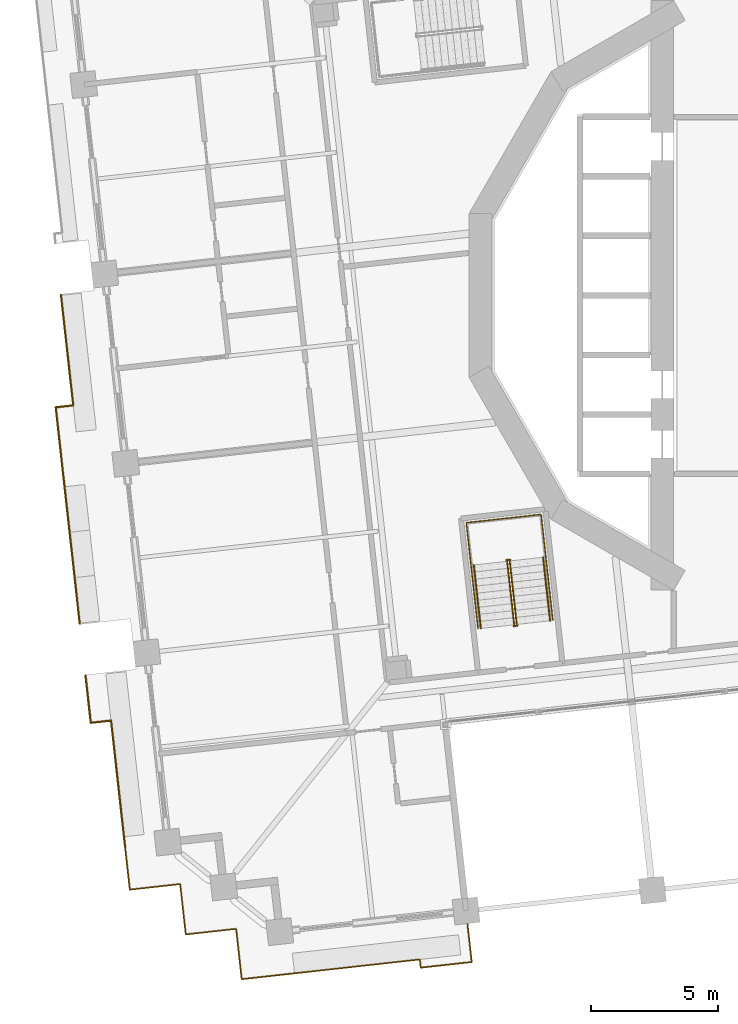
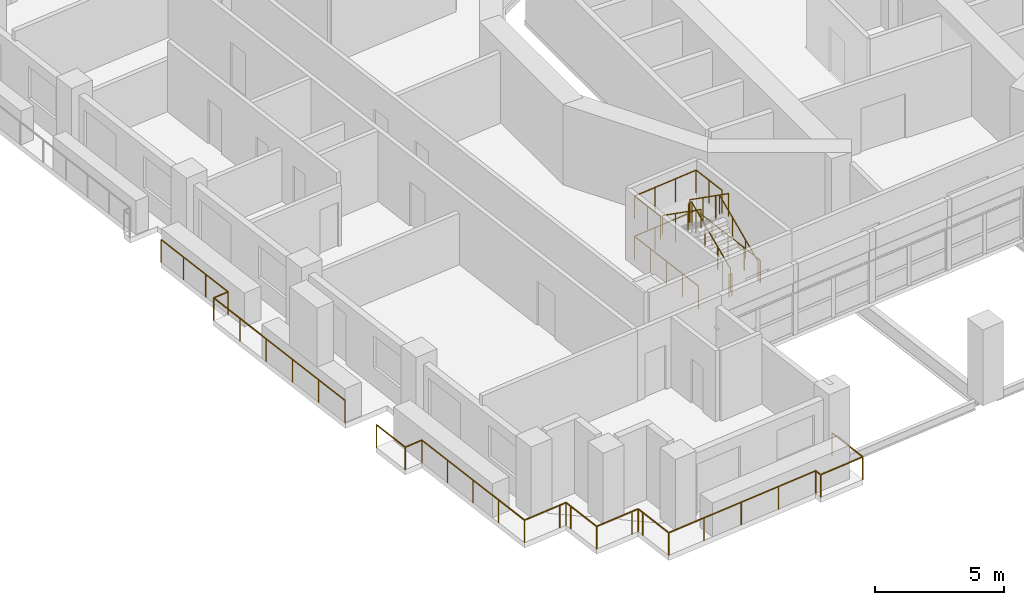
# One storey, part 15 of 21: 10 railings.
"""IFC4 building model written with IfcOpenShell, lengths in metres."""

from ifc_helpers import new_model, si_unit, direction, frame, origin, origin_2d, place, context, subcontext, project, spatial, circle, extrude, material, type_object, element, save


model = new_model("IFC4")

# Units and contexts
model_context = context("Model", 3, precision=1e-05, world=origin(), true_north=direction((0.0, 1.0)))
body_context = subcontext(model_context, "Body", "Model", "MODEL_VIEW")
ifc_project = project(units=[si_unit("LENGTHUNIT", "METRE"), si_unit("AREAUNIT", "SQUARE_METRE"), si_unit("VOLUMEUNIT", "CUBIC_METRE"), si_unit("PLANEANGLEUNIT", "RADIAN"), si_unit("MASSUNIT", "GRAM", prefix="KILO")], contexts=[model_context])

# Site, building, storey
site_placement = place(None, origin())
site = spatial("IfcSite", under=ifc_project, at=site_placement, CompositionType="ELEMENT")
building_placement = place(site_placement, origin())
building = spatial("IfcBuilding", under=site, at=building_placement, Name="Cantera Rosa Tower", CompositionType="ELEMENT")
storey_placement = place(building_placement, frame((0.0, 0.0, 80.5)))
storey = spatial("IfcBuildingStorey", under=building, at=storey_placement, Name="L17", CompositionType="ELEMENT", Elevation=80.5)

# Railings
ifc_material_1 = material(Name="Stainless steel and laminated glass", Category="steel")
railing_type_1 = type_object("IfcRailingType", Name="GUARD 1100", PredefinedType="BALUSTRADE", material=ifc_material_1)
railing_1_placement = place(storey_placement, frame((-25.65576171875, -21.762939453125, 0.0)))
element("IfcRailing", 1, at=railing_1_placement, inside=storey, type_object=railing_type_1, Name="GUARD L17-1", PredefinedType="BALUSTRADE", context=body_context, shape_type="SweptSolid", body=[
    extrude(circle(Radius=0.030029296875, at=origin_2d()), frame((0.0, 0.0, 1.070068359375), z_axis=(-0.110346010062, 0.993893232728, 0.0), x_axis=(-0.993893232728, -0.110346010062, 0.0)), (0.0, 0.0, 1.0), 5.013427734375),
    extrude(circle(Radius=0.030029296875, at=origin_2d()), frame((-0.55322265625, 4.98291015625, 1.070068359375), z_axis=(-0.993876348691, -0.110497979675, 0.0), x_axis=(0.110497979675, -0.993876348691, 0.0)), (0.0, 0.0, 1.0), 0.806396484375),
    extrude(circle(Radius=0.030029296875, at=origin_2d()), frame((-1.354736328125, 4.893798828125, 1.070068359375), z_axis=(-0.110317298966, 0.99389641993, 0.0), x_axis=(-0.99389641993, -0.110317298966, 0.0)), (0.0, 0.0, 1.0), 1.876708984375),
    extrude(circle(Radius=0.02490234375, at=origin_2d()), origin(), (0.0, 0.0, 1.0), 1.0400390625),
    extrude(circle(Radius=0.02490234375, at=origin_2d()), frame((-0.184326171875, 1.660888671875, 0.0)), (0.0, 0.0, 1.0), 1.0400390625),
    extrude(circle(Radius=0.02490234375, at=origin_2d()), frame((-0.368896484375, 3.322021484375, 0.0)), (0.0, 0.0, 1.0), 1.0400390625),
    extrude(circle(Radius=0.02490234375, at=origin_2d()), frame((-0.55322265625, 4.98291015625, 0.0)), (0.0, 0.0, 1.0), 1.0400390625),
    extrude(circle(Radius=0.02490234375, at=origin_2d()), frame((-1.354736328125, 4.893798828125, 0.0)), (0.0, 0.0, 1.0), 1.0400390625),
    extrude(circle(Radius=0.02490234375, at=origin_2d()), frame((-1.561767578125, 6.759033203125, 0.0)), (0.0, 0.0, 1.0), 1.0400390625),
])
railing_2_placement = place(storey_placement, frame((-12.1923828125, -24.313232421875, 0.0)))
element("IfcRailing", 2, at=railing_2_placement, inside=storey, type_object=railing_type_1, Name="GUARD L17-2", PredefinedType="BALUSTRADE", context=body_context, shape_type="SweptSolid", body=[
    extrude(circle(Radius=0.030029296875, at=origin_2d()), frame((0.0, 0.0, 1.070068359375), z_axis=(0.1103781573, -0.993889663087, 0.0), x_axis=(0.993889663087, 0.1103781573, 0.0)), (0.0, 0.0, 1.0), 2.00830078125),
    extrude(circle(Radius=0.030029296875, at=origin_2d()), frame((0.2216796875, -1.99609375, 1.070068359375), z_axis=(-0.993902803031, -0.110259775654, 0.0), x_axis=(0.110259775654, -0.993902803031, 0.0)), (0.0, 0.0, 1.0), 2.0283203125),
    extrude(circle(Radius=0.030029296875, at=origin_2d()), frame((-1.794189453125, -2.2197265625, 1.070068359375), z_axis=(-0.110839749591, 0.99383829163, 0.0), x_axis=(-0.99383829163, -0.110839749591, 0.0)), (0.0, 0.0, 1.0), 0.328125),
    extrude(circle(Radius=0.030029296875, at=origin_2d()), frame((-1.83056640625, -1.8935546875, 1.070068359375), z_axis=(-0.993897583515, -0.110306815218, 0.0), x_axis=(0.110306815218, -0.993897583515, 0.0)), (0.0, 0.0, 1.0), 5.37158203125),
    extrude(circle(Radius=0.030029296875, at=origin_2d()), frame((-7.16943359375, -2.486083984375, 1.070068359375), z_axis=(-0.993883734674, -0.110431526075, 0.0), x_axis=(0.110431526075, -0.993883734674, 0.0)), (0.0, 0.0, 1.0), 1.7001953125),
    extrude(circle(Radius=0.030029296875, at=origin_2d()), frame((-8.859130859375, -2.673828125, 1.070068359375), z_axis=(-0.110289669906, 0.993899486222, 0.0), x_axis=(-0.993899486222, -0.110289669906, 0.0)), (0.0, 0.0, 1.0), 1.699951171875),
    extrude(circle(Radius=0.030029296875, at=origin_2d()), frame((-9.046630859375, -0.984130859375, 1.070068359375), z_axis=(-0.110699535641, 0.99385391925, 0.0), x_axis=(-0.99385391925, -0.110699535641, 0.0)), (0.0, 0.0, 1.0), 0.300048828125),
    extrude(circle(Radius=0.030029296875, at=origin_2d()), frame((-9.079833984375, -0.68603515625, 1.070068359375), z_axis=(-0.993943154022, -0.10989543472, 0.0), x_axis=(0.10989543472, -0.993943154022, 0.0)), (0.0, 0.0, 1.0), 0.2998046875),
    extrude(circle(Radius=0.030029296875, at=origin_2d()), frame((-9.3779296875, -0.718994140625, 1.070068359375), z_axis=(-0.993899486222, -0.110289669906, 0.0), x_axis=(0.110289669906, -0.993899486222, 0.0)), (0.0, 0.0, 1.0), 1.699951171875),
    extrude(circle(Radius=0.030029296875, at=origin_2d()), frame((-11.067626953125, -0.906494140625, 1.070068359375), z_axis=(-0.110305413813, 0.993897739047, 0.0), x_axis=(-0.993897739047, -0.110305413813, 0.0)), (0.0, 0.0, 1.0), 1.69970703125),
    extrude(circle(Radius=0.030029296875, at=origin_2d()), frame((-11.255126953125, 0.782958984375, 1.070068359375), z_axis=(-0.1098065887, 0.993952973273, 0.0), x_axis=(-0.993952973273, -0.1098065887, 0.0)), (0.0, 0.0, 1.0), 0.300048828125),
    extrude(circle(Radius=0.030029296875, at=origin_2d()), frame((-11.2880859375, 1.081298828125, 1.070068359375), z_axis=(-0.993863881828, -0.110610055588, 0.0), x_axis=(0.110610055588, -0.993863881828, 0.0)), (0.0, 0.0, 1.0), 0.30029296875),
    extrude(circle(Radius=0.030029296875, at=origin_2d()), frame((-11.58642578125, 1.048095703125, 1.070068359375), z_axis=(-0.993897739047, -0.110305413813, 0.0), x_axis=(0.110305413813, -0.993897739047, 0.0)), (0.0, 0.0, 1.0), 1.69970703125),
    extrude(circle(Radius=0.030029296875, at=origin_2d()), frame((-13.27587890625, 0.860595703125, 1.070068359375), z_axis=(-0.110289669906, 0.993899486222, 0.0), x_axis=(-0.993899486222, -0.110289669906, 0.0)), (0.0, 0.0, 1.0), 1.699951171875),
    extrude(circle(Radius=0.02490234375, at=origin_2d()), origin(), (0.0, 0.0, 1.0), 1.0400390625),
    extrude(circle(Radius=0.02490234375, at=origin_2d()), frame((0.2216796875, -1.99609375, 0.0)), (0.0, 0.0, 1.0), 1.0400390625),
    extrude(circle(Radius=0.02490234375, at=origin_2d()), frame((-1.794189453125, -2.2197265625, 0.0)), (0.0, 0.0, 1.0), 1.0400390625),
    extrude(circle(Radius=0.02490234375, at=origin_2d()), frame((-1.83056640625, -1.8935546875, 0.0)), (0.0, 0.0, 1.0), 1.0400390625),
    extrude(circle(Radius=0.02490234375, at=origin_2d()), frame((-3.610107421875, -2.091064453125, 0.0)), (0.0, 0.0, 1.0), 1.0400390625),
    extrude(circle(Radius=0.02490234375, at=origin_2d()), frame((-5.389892578125, -2.28857421875, 0.0)), (0.0, 0.0, 1.0), 1.0400390625),
    extrude(circle(Radius=0.02490234375, at=origin_2d()), frame((-7.16943359375, -2.486083984375, 0.0)), (0.0, 0.0, 1.0), 1.0400390625),
    extrude(circle(Radius=0.02490234375, at=origin_2d()), frame((-8.859130859375, -2.673828125, 0.0)), (0.0, 0.0, 1.0), 1.0400390625),
    extrude(circle(Radius=0.02490234375, at=origin_2d()), frame((-9.046630859375, -0.984130859375, 0.0)), (0.0, 0.0, 1.0), 1.0400390625),
    extrude(circle(Radius=0.02490234375, at=origin_2d()), frame((-9.079833984375, -0.68603515625, 0.0)), (0.0, 0.0, 1.0), 1.0400390625),
    extrude(circle(Radius=0.02490234375, at=origin_2d()), frame((-9.3779296875, -0.718994140625, 0.0)), (0.0, 0.0, 1.0), 1.0400390625),
    extrude(circle(Radius=0.02490234375, at=origin_2d()), frame((-11.067626953125, -0.906494140625, 0.0)), (0.0, 0.0, 1.0), 1.0400390625),
    extrude(circle(Radius=0.02490234375, at=origin_2d()), frame((-11.255126953125, 0.782958984375, 0.0)), (0.0, 0.0, 1.0), 1.0400390625),
    extrude(circle(Radius=0.02490234375, at=origin_2d()), frame((-11.2880859375, 1.081298828125, 0.0)), (0.0, 0.0, 1.0), 1.0400390625),
    extrude(circle(Radius=0.02490234375, at=origin_2d()), frame((-11.58642578125, 1.048095703125, 0.0)), (0.0, 0.0, 1.0), 1.0400390625),
    extrude(circle(Radius=0.02490234375, at=origin_2d()), frame((-13.27587890625, 0.860595703125, 0.0)), (0.0, 0.0, 1.0), 1.0400390625),
    extrude(circle(Radius=0.02490234375, at=origin_2d()), frame((-13.46337890625, 2.55029296875, 0.0)), (0.0, 0.0, 1.0), 1.0400390625),
])
railing_3_placement = place(storey_placement, frame((-27.44482421875, -12.95654296875, 0.0)))
element("IfcRailing", 3, at=railing_3_placement, inside=storey, type_object=railing_type_1, Name="GUARD L17-3", PredefinedType="BALUSTRADE", context=body_context, shape_type="SweptSolid", body=[
    extrude(circle(Radius=0.030029296875, at=origin_2d()), frame((0.0, 0.0, 1.070068359375), z_axis=(-0.110306840876, 0.993897580667, 0.0), x_axis=(-0.993897580667, -0.110306840876, 0.0)), (0.0, 0.0, 1.0), 8.596435546875),
    extrude(circle(Radius=0.030029296875, at=origin_2d()), frame((-0.9482421875, 8.5439453125, 1.070068359375), z_axis=(0.993866597574, 0.11058565109, 0.0), x_axis=(-0.11058565109, 0.993866597574, 0.0)), (0.0, 0.0, 1.0), 0.6953125),
    extrude(circle(Radius=0.030029296875, at=origin_2d()), frame((-0.257080078125, 8.620849609375, 1.070068359375), z_axis=(-0.110333717982, 0.993894597368, 0.0), x_axis=(-0.993894597368, -0.110333717982, 0.0)), (0.0, 0.0, 1.0), 4.383544921875),
    extrude(circle(Radius=0.02490234375, at=origin_2d()), origin(), (0.0, 0.0, 1.0), 1.0400390625),
    extrude(circle(Radius=0.02490234375, at=origin_2d()), frame((-0.189697265625, 1.708740234375, 0.0)), (0.0, 0.0, 1.0), 1.0400390625),
    extrude(circle(Radius=0.02490234375, at=origin_2d()), frame((-0.37939453125, 3.41748046875, 0.0)), (0.0, 0.0, 1.0), 1.0400390625),
    extrude(circle(Radius=0.02490234375, at=origin_2d()), frame((-0.56884765625, 5.12646484375, 0.0)), (0.0, 0.0, 1.0), 1.0400390625),
    extrude(circle(Radius=0.02490234375, at=origin_2d()), frame((-0.758544921875, 6.835205078125, 0.0)), (0.0, 0.0, 1.0), 1.0400390625),
    extrude(circle(Radius=0.02490234375, at=origin_2d()), frame((-0.9482421875, 8.5439453125, 0.0)), (0.0, 0.0, 1.0), 1.0400390625),
    extrude(circle(Radius=0.02490234375, at=origin_2d()), frame((-0.257080078125, 8.620849609375, 0.0)), (0.0, 0.0, 1.0), 1.0400390625),
    extrude(circle(Radius=0.02490234375, at=origin_2d()), frame((-0.418212890625, 10.072998046875, 0.0)), (0.0, 0.0, 1.0), 1.0400390625),
    extrude(circle(Radius=0.02490234375, at=origin_2d()), frame((-0.57958984375, 11.525390625, 0.0)), (0.0, 0.0, 1.0), 1.0400390625),
    extrude(circle(Radius=0.02490234375, at=origin_2d()), frame((-0.74072265625, 12.9775390625, 0.0)), (0.0, 0.0, 1.0), 1.0400390625),
])
ifc_material_2 = material(Name="Steel S355J2 (EN 10025-2)", Category="steel")
railing_type_2 = type_object("IfcRailingType", Name="STAIR GUARD 1100", PredefinedType="GUARDRAIL", material=ifc_material_2)
railing_4_placement = place(storey_placement, frame((-10.19677734375, -12.986083984375, 0.18994140625)))
element("IfcRailing", 4, at=railing_4_placement, inside=storey, type_object=railing_type_2, Name="L17 ST-13 stair guard 1", PredefinedType="GUARDRAIL", context=body_context, shape_type="SweptSolid", body=[
    extrude(circle(Radius=0.02392578125, at=origin_2d()), frame((0.0, 0.0, 1.076171875), z_axis=(-0.091310000343, 0.822431337597, 0.561488360321), x_axis=(-0.993893182753, -0.110346460196, 0.0)), (0.0, 0.0, 1.0), 3.04541015625),
    extrude(circle(Radius=0.02392578125, at=origin_2d()), frame((-0.278076171875, 2.504638671875, 2.7861328125), z_axis=(0.360141847183, 0.932897555956, 0.0), x_axis=(-0.932897555956, 0.360141847183, 0.0)), (0.0, 0.0, 1.0), 0.05615234375),
    extrude(circle(Radius=0.02392578125, at=origin_2d()), frame((-0.2578125, 2.55712890625, 2.7861328125), z_axis=(-0.994022053584, -0.109179471459, 0.0), x_axis=(0.109179471459, -0.994022053584, 0.0)), (0.0, 0.0, 1.0), 0.14990234375),
    extrude(circle(Radius=0.02099609375, at=origin_2d()), origin(), (0.0, 0.0, 1.0), 1.052001953125),
    extrude(circle(Radius=0.02099609375, at=origin_2d()), frame((-0.0927734375, 0.8349609375, 0.570068359375)), (0.0, 0.0, 1.0), 1.052001953125),
    extrude(circle(Radius=0.02099609375, at=origin_2d()), frame((-0.185302734375, 1.669677734375, 1.139892578125)), (0.0, 0.0, 1.0), 1.052001953125),
    extrude(circle(Radius=0.02099609375, at=origin_2d()), frame((-0.278076171875, 2.504638671875, 1.7099609375)), (0.0, 0.0, 1.0), 1.052001953125),
    extrude(circle(Radius=0.02099609375, at=origin_2d()), frame((-0.2578125, 2.55712890625, 1.7099609375)), (0.0, 0.0, 1.0), 1.052001953125),
    extrude(circle(Radius=0.02099609375, at=origin_2d()), frame((-0.40673828125, 2.540771484375, 1.7099609375)), (0.0, 0.0, 1.0), 1.052001953125),
])
railing_5_placement = place(storey_placement, frame((-10.572265625, -10.4921875, 2.090087890625)))
element("IfcRailing", 5, at=railing_5_placement, inside=storey, type_object=railing_type_2, Name="L17 ST-13 stair guard 2", PredefinedType="GUARDRAIL", context=body_context, shape_type="SweptSolid", body=[
    extrude(circle(Radius=0.02392578125, at=origin_2d()), frame((0.0, 0.0, 1.076171875), z_axis=(0.091310000343, -0.822431337597, 0.561488360321), x_axis=(0.993893182753, 0.110346460196, 0.0)), (0.0, 0.0, 1.0), 3.04541015625),
    extrude(circle(Radius=0.02099609375, at=origin_2d()), origin(), (0.0, 0.0, 1.0), 1.052001953125),
    extrude(circle(Radius=0.02099609375, at=origin_2d()), frame((0.0927734375, -0.8349609375, 0.570068359375)), (0.0, 0.0, 1.0), 1.052001953125),
    extrude(circle(Radius=0.02099609375, at=origin_2d()), frame((0.185302734375, -1.669677734375, 1.139892578125)), (0.0, 0.0, 1.0), 1.052001953125),
    extrude(circle(Radius=0.02099609375, at=origin_2d()), frame((0.278076171875, -2.504638671875, 1.7099609375)), (0.0, 0.0, 1.0), 1.052001953125),
])
railing_6_placement = place(storey_placement, frame((-10.16552734375, -13.032958984375, 0.0)))
element("IfcRailing", 6, at=railing_6_placement, inside=storey, type_object=railing_type_2, Name="L17 ST-13 stair guard 3", PredefinedType="GUARDRAIL", context=body_context, shape_type="SweptSolid", body=[
    extrude(circle(Radius=0.02392578125, at=origin_2d()), frame((0.0, 0.0, 1.076171875), z_axis=(-0.994041430915, -0.1090029065, 0.0), x_axis=(0.1090029065, -0.994041430915, 0.0)), (0.0, 0.0, 1.0), 0.150146484375),
    extrude(circle(Radius=0.02099609375, at=origin_2d()), origin(), (0.0, 0.0, 1.0), 1.052001953125),
    extrude(circle(Radius=0.02099609375, at=origin_2d()), frame((-0.149169921875, -0.016357421875, 0.0)), (0.0, 0.0, 1.0), 1.052001953125),
])
railing_7_placement = place(storey_placement, frame((-8.77099609375, -12.815673828125, 0.0)))
element("IfcRailing", 7, at=railing_7_placement, inside=storey, type_object=railing_type_2, Name="L17 ST-13 stair guard 4", PredefinedType="GUARDRAIL", context=body_context, shape_type="SweptSolid", body=[
    extrude(circle(Radius=0.02392578125, at=origin_2d()), frame((0.0, 0.0, 1.076171875), z_axis=(-0.110323013767, 0.9938957856, 0.0), x_axis=(-0.9938957856, -0.110323013767, 0.0)), (0.0, 0.0, 1.0), 4.197998046875),
    extrude(circle(Radius=0.02392578125, at=origin_2d()), frame((-0.463134765625, 4.17236328125, 1.076171875), z_axis=(-0.993896759678, -0.110314237986, 0.0), x_axis=(0.110314237986, -0.993896759678, 0.0)), (0.0, 0.0, 1.0), 2.969970703125),
    extrude(circle(Radius=0.02392578125, at=origin_2d()), frame((-3.4150390625, 3.8447265625, 1.076171875), z_axis=(0.110323013767, -0.9938957856, 0.0), x_axis=(0.9938957856, 0.110323013767, 0.0)), (0.0, 0.0, 1.0), 4.197998046875),
    extrude(circle(Radius=0.02099609375, at=origin_2d()), origin(), (0.0, 0.0, 1.0), 1.052001953125),
    extrude(circle(Radius=0.02099609375, at=origin_2d()), frame((-0.11572265625, 1.04296875, 0.0)), (0.0, 0.0, 1.0), 1.052001953125),
    extrude(circle(Radius=0.02099609375, at=origin_2d()), frame((-0.2314453125, 2.086181640625, 0.0)), (0.0, 0.0, 1.0), 1.052001953125),
    extrude(circle(Radius=0.02099609375, at=origin_2d()), frame((-0.347412109375, 3.12939453125, 0.0)), (0.0, 0.0, 1.0), 1.052001953125),
    extrude(circle(Radius=0.02099609375, at=origin_2d()), frame((-0.463134765625, 4.17236328125, 0.0)), (0.0, 0.0, 1.0), 1.052001953125),
    extrude(circle(Radius=0.02099609375, at=origin_2d()), frame((-1.447021484375, 4.063232421875, 0.0)), (0.0, 0.0, 1.0), 1.052001953125),
    extrude(circle(Radius=0.02099609375, at=origin_2d()), frame((-2.43115234375, 3.953857421875, 0.0)), (0.0, 0.0, 1.0), 1.052001953125),
    extrude(circle(Radius=0.02099609375, at=origin_2d()), frame((-3.4150390625, 3.8447265625, 0.0)), (0.0, 0.0, 1.0), 1.052001953125),
    extrude(circle(Radius=0.02099609375, at=origin_2d()), frame((-3.29931640625, 2.8017578125, 0.0)), (0.0, 0.0, 1.0), 1.052001953125),
    extrude(circle(Radius=0.02099609375, at=origin_2d()), frame((-3.18359375, 1.758544921875, 0.0)), (0.0, 0.0, 1.0), 1.052001953125),
    extrude(circle(Radius=0.02099609375, at=origin_2d()), frame((-3.067626953125, 0.71533203125, 0.0)), (0.0, 0.0, 1.0), 1.052001953125),
    extrude(circle(Radius=0.02099609375, at=origin_2d()), frame((-2.951904296875, -0.32763671875, 0.0)), (0.0, 0.0, 1.0), 1.052001953125),
])
railing_8_placement = place(storey_placement, frame((-9.04638671875, -10.3349609375, 1.89990234375)))
element("IfcRailing", 8, at=railing_8_placement, inside=storey, type_object=railing_type_2, Name="L17 ST-13 stair guard 5", PredefinedType="GUARDRAIL", context=body_context, shape_type="SweptSolid", body=[
    extrude(circle(Radius=0.02392578125, at=origin_2d()), frame((0.0, 0.0, 1.076171875), z_axis=(-0.110305577623, 0.993897720867, 0.0), x_axis=(-0.993897720867, -0.110305577623, 0.0)), (0.0, 0.0, 1.0), 1.7021484375),
    extrude(circle(Radius=0.02392578125, at=origin_2d()), frame((-0.187744140625, 1.691650390625, 1.076171875), z_axis=(-0.993896759678, -0.110314237986, 0.0), x_axis=(0.110314237986, -0.993896759678, 0.0)), (0.0, 0.0, 1.0), 2.969970703125),
    extrude(circle(Radius=0.02392578125, at=origin_2d()), frame((-3.1396484375, 1.364013671875, 1.076171875), z_axis=(0.110447269257, -0.993881985305, 0.0), x_axis=(0.993881985305, 0.110447269257, 0.0)), (0.0, 0.0, 1.0), 1.7021484375),
    extrude(circle(Radius=0.02099609375, at=origin_2d()), origin(), (0.0, 0.0, 1.0), 1.052001953125),
    extrude(circle(Radius=0.02099609375, at=origin_2d()), frame((-0.09375, 0.845703125, 0.0)), (0.0, 0.0, 1.0), 1.052001953125),
    extrude(circle(Radius=0.02099609375, at=origin_2d()), frame((-0.187744140625, 1.691650390625, 0.0)), (0.0, 0.0, 1.0), 1.052001953125),
    extrude(circle(Radius=0.02099609375, at=origin_2d()), frame((-1.171630859375, 1.58251953125, 0.0)), (0.0, 0.0, 1.0), 1.052001953125),
    extrude(circle(Radius=0.02099609375, at=origin_2d()), frame((-2.15576171875, 1.47314453125, 0.0)), (0.0, 0.0, 1.0), 1.052001953125),
    extrude(circle(Radius=0.02099609375, at=origin_2d()), frame((-3.1396484375, 1.364013671875, 0.0)), (0.0, 0.0, 1.0), 1.052001953125),
    extrude(circle(Radius=0.02099609375, at=origin_2d()), frame((-3.045654296875, 0.51806640625, 0.0)), (0.0, 0.0, 1.0), 1.052001953125),
    extrude(circle(Radius=0.02099609375, at=origin_2d()), frame((-2.95166015625, -0.32763671875, 0.0)), (0.0, 0.0, 1.0), 1.052001953125),
])
ifc_material_3 = material(Name="Steel S355J2 (EN 10025-2)", Category="steel")
railing_type_3 = type_object("IfcRailingType", Name="STAIR HANDRAIL 900", PredefinedType="HANDRAIL", material=ifc_material_3)
railing_9_placement = place(storey_placement, frame((-8.87890625, -12.83984375, 0.18994140625)))
element("IfcRailing", 9, at=railing_9_placement, inside=storey, type_object=railing_type_3, Name="L17 ST-13 stair handrail 1", PredefinedType="HANDRAIL", context=body_context, shape_type="SweptSolid", body=[
    extrude(circle(Radius=0.02392578125, at=origin_2d()), frame((0.0, 0.0, 0.8759765625), z_axis=(-0.091310000343, 0.822431337597, 0.561488360321), x_axis=(-0.993893182753, -0.110346460196, 0.0)), (0.0, 0.0, 1.0), 3.04541015625),
    extrude(circle(Radius=0.02099609375, at=origin_2d()), origin(), (0.0, 0.0, 1.0), 0.851806640625),
    extrude(circle(Radius=0.02099609375, at=origin_2d()), frame((-0.0927734375, 0.8349609375, 0.570068359375)), (0.0, 0.0, 1.0), 0.851806640625),
    extrude(circle(Radius=0.02099609375, at=origin_2d()), frame((-0.185302734375, 1.669677734375, 1.139892578125)), (0.0, 0.0, 1.0), 0.851806640625),
    extrude(circle(Radius=0.02099609375, at=origin_2d()), frame((-0.278076171875, 2.504638671875, 1.7099609375)), (0.0, 0.0, 1.0), 0.851806640625),
])
railing_10_placement = place(storey_placement, frame((-11.89013671875, -10.638427734375, 2.090087890625)))
element("IfcRailing", 10, at=railing_10_placement, inside=storey, type_object=railing_type_3, Name="L17 ST-13 stair handrail 2", PredefinedType="HANDRAIL", context=body_context, shape_type="SweptSolid", body=[
    extrude(circle(Radius=0.02392578125, at=origin_2d()), frame((0.0, 0.0, 0.8759765625), z_axis=(0.091310000343, -0.822431337597, 0.561488360321), x_axis=(0.993893182753, 0.110346460196, 0.0)), (0.0, 0.0, 1.0), 3.04541015625),
    extrude(circle(Radius=0.02099609375, at=origin_2d()), origin(), (0.0, 0.0, 1.0), 0.851806640625),
    extrude(circle(Radius=0.02099609375, at=origin_2d()), frame((0.0927734375, -0.8349609375, 0.570068359375)), (0.0, 0.0, 1.0), 0.851806640625),
    extrude(circle(Radius=0.02099609375, at=origin_2d()), frame((0.185302734375, -1.669677734375, 1.139892578125)), (0.0, 0.0, 1.0), 0.851806640625),
    extrude(circle(Radius=0.02099609375, at=origin_2d()), frame((0.278076171875, -2.504638671875, 1.7099609375)), (0.0, 0.0, 1.0), 0.851806640625),
])

save(model, "model.ifc")
